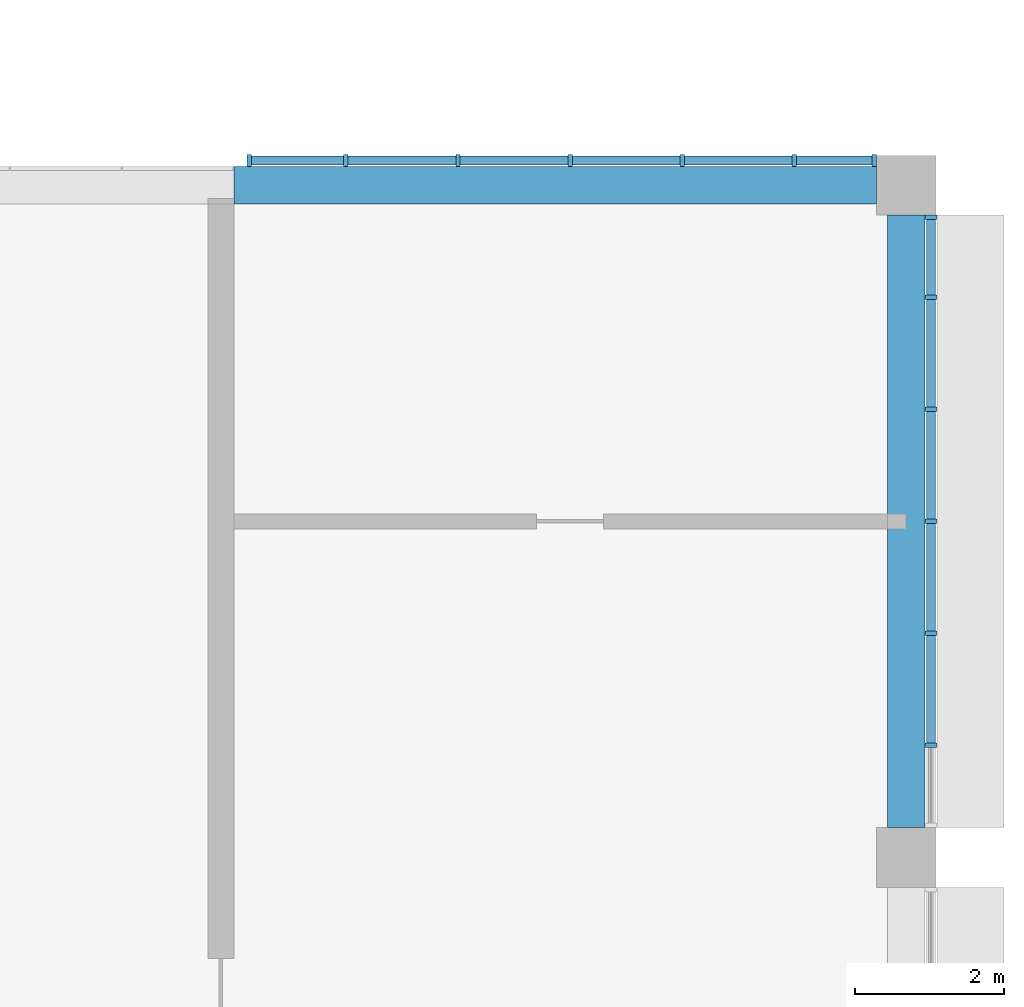
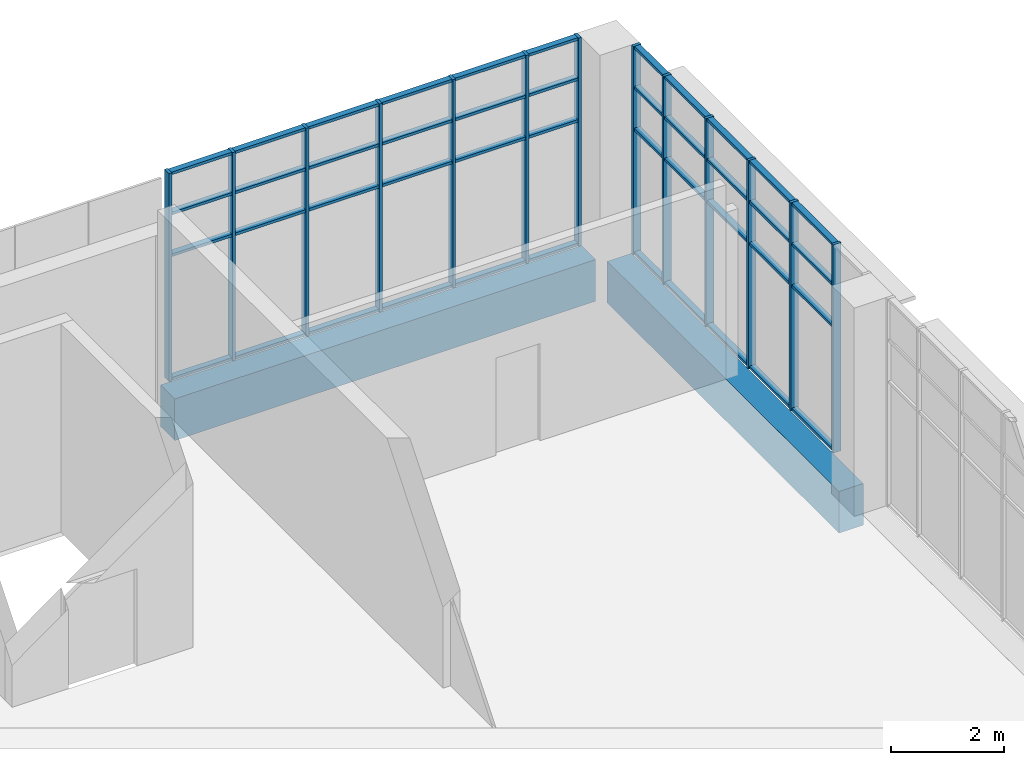
# One storey, part 6 of 19: 57 members, 2 beams, 2 elements without a shape of their own.
"""IFC4 building model written with IfcOpenShell, lengths in metres."""

from ifc_helpers import new_model, si_unit, direction, frame, origin, origin_2d, place, context, subcontext, project, spatial, rectangle, extrude, material, layer, layer_set, material_profile, profile_set, type_object, element, aggregate, save


model = new_model("IFC4")

# Units and contexts
model_context = context("Model", 3, precision=1e-05, world=origin(), true_north=direction((0.0, 1.0)))
body_context = subcontext(model_context, "Body", "Model", "MODEL_VIEW")
ifc_project = project(units=[si_unit("LENGTHUNIT", "METRE"), si_unit("AREAUNIT", "SQUARE_METRE"), si_unit("VOLUMEUNIT", "CUBIC_METRE"), si_unit("PLANEANGLEUNIT", "RADIAN"), si_unit("MASSUNIT", "GRAM", prefix="KILO")], contexts=[model_context])

# Site, building, storey
site_placement = place(None, origin())
site = spatial("IfcSite", under=ifc_project, at=site_placement, CompositionType="ELEMENT")
building_placement = place(site_placement, origin())
building = spatial("IfcBuilding", under=site, at=building_placement, Name="Guidao Yard Department Store", CompositionType="ELEMENT")
storey_placement = place(building_placement, frame((0.0, 0.0, 33.0)))
storey = spatial("IfcBuildingStorey", under=building, at=storey_placement, Name="L07", CompositionType="ELEMENT", Elevation=33.0)

# Curtain wall, members
ifc_material_1 = material(Name="Aluminium and glass", Category="aluminium")
ifc_layer = layer(ifc_material_1, 0.159912109375)
ifc_layer_set = layer_set([ifc_layer], Name="Unitised curtain wall CW4 1500 module")
curtain_wall_type = type_object("IfcCurtainWallType", Name="Unitised curtain wall CW4 1500 module", PredefinedType="NOTDEFINED", material=ifc_layer_set)
curtain_wall_1_placement = place(storey_placement, origin())
curtain_wall_1 = element("IfcCurtainWall", 1, at=curtain_wall_1_placement, inside=storey, type_object=curtain_wall_type, Name="Unitised curtain wall", PredefinedType="NOTDEFINED")
ifc_material_2 = material(Name="Aluminium 6063-T5", Category="aluminium")
ifc_material_profile_1 = material_profile(ifc_material_2, rectangle(XDim=0.06005859375, YDim=0.159912109375, at=origin_2d()), Name="Mullion M1 60 x 160 aluminium pressure plate")
ifc_profile_set_1 = profile_set([ifc_material_profile_1], Name="Aluminium 6063-T5")
member_type_1 = type_object("IfcMemberType", Name="Mullion M1 60 x 160 aluminium pressure plate", PredefinedType="MULLION", material=ifc_profile_set_1)
member_1_placement = place(storey_placement, frame((162.205078125, 27.330078125, 0.0), z_axis=(0.0, 0.0, 1.0), x_axis=(1.0, 0.0, 0.0)))
member_1 = element("IfcMember", 2, at=member_1_placement, type_object=member_type_1, Name="CW-OW-L07-08 mullion 1", PredefinedType="MULLION", context=body_context, shape_type="SweptSolid", body=[
    extrude(rectangle(XDim=0.06005859375, YDim=0.159912109375, at=origin_2d()), origin(), (0.0, 0.0, 1.0), 4.5),
])
member_2_placement = place(storey_placement, frame((163.5, 27.330078125, 0.0), z_axis=(0.0, 0.0, 1.0), x_axis=(1.0, 0.0, 0.0)))
member_2 = element("IfcMember", 3, at=member_2_placement, type_object=member_type_1, Name="CW-OW-L07-08 mullion 2", PredefinedType="MULLION", context=body_context, shape_type="SweptSolid", body=[
    extrude(rectangle(XDim=0.06005859375, YDim=0.159912109375, at=origin_2d()), origin(), (0.0, 0.0, 1.0), 4.5),
])
member_3_placement = place(storey_placement, frame((165.0, 27.330078125, 0.0), z_axis=(0.0, 0.0, 1.0), x_axis=(1.0, 0.0, 0.0)))
member_3 = element("IfcMember", 4, at=member_3_placement, type_object=member_type_1, Name="CW-OW-L07-08 mullion 3", PredefinedType="MULLION", context=body_context, shape_type="SweptSolid", body=[
    extrude(rectangle(XDim=0.06005859375, YDim=0.159912109375, at=origin_2d()), origin(), (0.0, 0.0, 1.0), 4.5),
])
member_4_placement = place(storey_placement, frame((166.5, 27.330078125, 0.0), z_axis=(0.0, 0.0, 1.0), x_axis=(1.0, 0.0, 0.0)))
member_4 = element("IfcMember", 5, at=member_4_placement, type_object=member_type_1, Name="CW-OW-L07-08 mullion 4", PredefinedType="MULLION", context=body_context, shape_type="SweptSolid", body=[
    extrude(rectangle(XDim=0.06005859375, YDim=0.159912109375, at=origin_2d()), origin(), (0.0, 0.0, 1.0), 4.5),
])
member_5_placement = place(storey_placement, frame((168.0, 27.330078125, 0.0), z_axis=(0.0, 0.0, 1.0), x_axis=(1.0, 0.0, 0.0)))
member_5 = element("IfcMember", 6, at=member_5_placement, type_object=member_type_1, Name="CW-OW-L07-08 mullion 5", PredefinedType="MULLION", context=body_context, shape_type="SweptSolid", body=[
    extrude(rectangle(XDim=0.06005859375, YDim=0.159912109375, at=origin_2d()), origin(), (0.0, 0.0, 1.0), 4.5),
])
member_6_placement = place(storey_placement, frame((169.5, 27.330078125, 0.0), z_axis=(0.0, 0.0, 1.0), x_axis=(1.0, 0.0, 0.0)))
member_6 = element("IfcMember", 7, at=member_6_placement, type_object=member_type_1, Name="CW-OW-L07-08 mullion 6", PredefinedType="MULLION", context=body_context, shape_type="SweptSolid", body=[
    extrude(rectangle(XDim=0.06005859375, YDim=0.159912109375, at=origin_2d()), origin(), (0.0, 0.0, 1.0), 4.5),
])
member_7_placement = place(storey_placement, frame((170.570068359375, 27.330078125, 0.0), z_axis=(0.0, 0.0, 1.0), x_axis=(1.0, 0.0, 0.0)))
member_7 = element("IfcMember", 8, at=member_7_placement, type_object=member_type_1, Name="CW-OW-L07-08 mullion 7", PredefinedType="MULLION", context=body_context, shape_type="SweptSolid", body=[
    extrude(rectangle(XDim=0.06005859375, YDim=0.159912109375, at=origin_2d()), origin(), (0.0, 0.0, 1.0), 4.5),
])

curtain_wall_2_placement = place(storey_placement, origin())
curtain_wall_2 = element("IfcCurtainWall", 9, at=curtain_wall_2_placement, inside=storey, type_object=curtain_wall_type, Name="Unitised curtain wall", PredefinedType="NOTDEFINED")
member_8_placement = place(storey_placement, frame((171.330078125, 19.5, 0.0), z_axis=(0.0, 0.0, 1.0), x_axis=(0.0, -1.0, 0.0)))
member_8 = element("IfcMember", 10, at=member_8_placement, type_object=member_type_1, Name="CW-OW-L07-11 mullion 2", PredefinedType="MULLION", context=body_context, shape_type="SweptSolid", body=[
    extrude(rectangle(XDim=0.06005859375, YDim=0.159912109375, at=origin_2d()), origin(), (0.0, 0.0, 1.0), 4.5),
])
member_9_placement = place(storey_placement, frame((171.330078125, 21.0, 0.0), z_axis=(0.0, 0.0, 1.0), x_axis=(0.0, -1.0, 0.0)))
member_9 = element("IfcMember", 11, at=member_9_placement, type_object=member_type_1, Name="CW-OW-L07-11 mullion 3", PredefinedType="MULLION", context=body_context, shape_type="SweptSolid", body=[
    extrude(rectangle(XDim=0.06005859375, YDim=0.159912109375, at=origin_2d()), origin(), (0.0, 0.0, 1.0), 4.5),
])
member_10_placement = place(storey_placement, frame((171.330078125, 22.5, 0.0), z_axis=(0.0, 0.0, 1.0), x_axis=(0.0, -1.0, 0.0)))
member_10 = element("IfcMember", 12, at=member_10_placement, type_object=member_type_1, Name="CW-OW-L07-11 mullion 4", PredefinedType="MULLION", context=body_context, shape_type="SweptSolid", body=[
    extrude(rectangle(XDim=0.06005859375, YDim=0.159912109375, at=origin_2d()), origin(), (0.0, 0.0, 1.0), 4.5),
])
member_11_placement = place(storey_placement, frame((171.330078125, 24.0, 0.0), z_axis=(0.0, 0.0, 1.0), x_axis=(0.0, -1.0, 0.0)))
member_11 = element("IfcMember", 13, at=member_11_placement, type_object=member_type_1, Name="CW-OW-L07-11 mullion 5", PredefinedType="MULLION", context=body_context, shape_type="SweptSolid", body=[
    extrude(rectangle(XDim=0.06005859375, YDim=0.159912109375, at=origin_2d()), origin(), (0.0, 0.0, 1.0), 4.5),
])
member_12_placement = place(storey_placement, frame((171.330078125, 25.5, 0.0), z_axis=(0.0, 0.0, 1.0), x_axis=(0.0, -1.0, 0.0)))
member_12 = element("IfcMember", 14, at=member_12_placement, type_object=member_type_1, Name="CW-OW-L07-11 mullion 6", PredefinedType="MULLION", context=body_context, shape_type="SweptSolid", body=[
    extrude(rectangle(XDim=0.06005859375, YDim=0.159912109375, at=origin_2d()), origin(), (0.0, 0.0, 1.0), 4.5),
])
member_13_placement = place(storey_placement, frame((171.330078125, 26.570068359375, 0.0), z_axis=(0.0, 0.0, 1.0), x_axis=(0.0, -1.0, 0.0)))
member_13 = element("IfcMember", 15, at=member_13_placement, type_object=member_type_1, Name="CW-OW-L07-11 mullion 7", PredefinedType="MULLION", context=body_context, shape_type="SweptSolid", body=[
    extrude(rectangle(XDim=0.06005859375, YDim=0.159912109375, at=origin_2d()), origin(), (0.0, 0.0, 1.0), 4.5),
])

# Beams
ifc_material_3 = material(Name="Concrete C40", Category="concrete")
ifc_material_profile_2 = material_profile(ifc_material_3, rectangle(XDim=0.5, YDim=0.89990234375, at=origin_2d()), Name="Spandrel beam 500 x 900 C40")
ifc_profile_set_2 = profile_set([ifc_material_profile_2], Name="Concrete C40")
beam_type = type_object("IfcBeamType", Name="Spandrel beam 500 x 900 C40", PredefinedType="SPANDREL", material=ifc_profile_set_2)
beam_1_placement = place(storey_placement, frame((162.0, 27.0, -0.449951171875), z_axis=(1.0, 0.0, 0.0), x_axis=(0.0, 1.0, 0.0)))
element("IfcBeam", 16, at=beam_1_placement, inside=storey, type_object=beam_type, Name="Beam FB08", PredefinedType="SPANDREL", context=body_context, shape_type="SweptSolid", body=[
    extrude(rectangle(XDim=0.5, YDim=0.89990234375, at=origin_2d()), origin(), (0.0, 0.0, 1.0), 8.60009765625),
])
beam_2_placement = place(storey_placement, frame((171.0, 18.39990234375, -0.449951171875), z_axis=(0.0, 1.0, 0.0), x_axis=(-1.0, 0.0, 0.0)))
element("IfcBeam", 17, at=beam_2_placement, inside=storey, type_object=beam_type, Name="Beam FB10", PredefinedType="SPANDREL", context=body_context, shape_type="SweptSolid", body=[
    extrude(rectangle(XDim=0.5, YDim=0.89990234375, at=origin_2d()), origin(), (0.0, 0.0, 1.0), 8.2001953125),
])

# Member
ifc_material_4 = material(Name="Aluminium 6063-T5", Category="aluminium")
ifc_material_profile_3 = material_profile(ifc_material_4, rectangle(XDim=0.1201171875, YDim=0.06005859375, at=origin_2d()), Name="Transom T1 60 x 120 aluminium pressure plate")
ifc_profile_set_3 = profile_set([ifc_material_profile_3], Name="Aluminium 6063-T5")
member_type_2 = type_object("IfcMemberType", Name="Transom T1 60 x 120 aluminium pressure plate", PredefinedType="USERDEFINED", material=ifc_profile_set_3)
member_14_placement = place(storey_placement, frame((162.235107421875, 27.330078125, 0.030029296875), z_axis=(1.0, 0.0, 0.0), x_axis=(0.0, 1.0, 0.0)))
member_14 = element("IfcMember", 18, at=member_14_placement, type_object=member_type_2, Name="CW-OW-L07-08 transom 1.1", ObjectType="TRANSOM", PredefinedType="USERDEFINED", context=body_context, shape_type="SweptSolid", body=[
    extrude(rectangle(XDim=0.1201171875, YDim=0.06005859375, at=origin_2d()), origin(), (0.0, 0.0, 1.0), 1.23486328125),
])

member_15_placement = place(storey_placement, frame((162.235107421875, 27.330078125, 2.699951171875), z_axis=(1.0, 0.0, 0.0), x_axis=(0.0, 1.0, 0.0)))
member_15 = element("IfcMember", 19, at=member_15_placement, type_object=member_type_2, Name="CW-OW-L07-08 transom 1.2", ObjectType="TRANSOM", PredefinedType="USERDEFINED", context=body_context, shape_type="SweptSolid", body=[
    extrude(rectangle(XDim=0.1201171875, YDim=0.06005859375, at=origin_2d()), origin(), (0.0, 0.0, 1.0), 1.23486328125),
])

member_16_placement = place(storey_placement, frame((162.235107421875, 27.330078125, 3.60009765625), z_axis=(1.0, 0.0, 0.0), x_axis=(0.0, 1.0, 0.0)))
member_16 = element("IfcMember", 20, at=member_16_placement, type_object=member_type_2, Name="CW-OW-L07-08 transom 1.3", ObjectType="TRANSOM", PredefinedType="USERDEFINED", context=body_context, shape_type="SweptSolid", body=[
    extrude(rectangle(XDim=0.1201171875, YDim=0.06005859375, at=origin_2d()), origin(), (0.0, 0.0, 1.0), 1.23486328125),
])

member_17_placement = place(storey_placement, frame((162.235107421875, 27.330078125, 4.469970703125), z_axis=(1.0, 0.0, 0.0), x_axis=(0.0, 1.0, 0.0)))
member_17 = element("IfcMember", 21, at=member_17_placement, type_object=member_type_2, Name="CW-OW-L07-08 transom 1.4", ObjectType="TRANSOM", PredefinedType="USERDEFINED", context=body_context, shape_type="SweptSolid", body=[
    extrude(rectangle(XDim=0.1201171875, YDim=0.06005859375, at=origin_2d()), origin(), (0.0, 0.0, 1.0), 1.23486328125),
])

member_18_placement = place(storey_placement, frame((163.530029296875, 27.330078125, 0.030029296875), z_axis=(1.0, 0.0, 0.0), x_axis=(0.0, 1.0, 0.0)))
member_18 = element("IfcMember", 22, at=member_18_placement, type_object=member_type_2, Name="CW-OW-L07-08 transom 2.1", ObjectType="TRANSOM", PredefinedType="USERDEFINED", context=body_context, shape_type="SweptSolid", body=[
    extrude(rectangle(XDim=0.1201171875, YDim=0.06005859375, at=origin_2d()), origin(), (0.0, 0.0, 1.0), 1.43994140625),
])

member_19_placement = place(storey_placement, frame((163.530029296875, 27.330078125, 2.699951171875), z_axis=(1.0, 0.0, 0.0), x_axis=(0.0, 1.0, 0.0)))
member_19 = element("IfcMember", 23, at=member_19_placement, type_object=member_type_2, Name="CW-OW-L07-08 transom 2.2", ObjectType="TRANSOM", PredefinedType="USERDEFINED", context=body_context, shape_type="SweptSolid", body=[
    extrude(rectangle(XDim=0.1201171875, YDim=0.06005859375, at=origin_2d()), origin(), (0.0, 0.0, 1.0), 1.43994140625),
])

member_20_placement = place(storey_placement, frame((163.530029296875, 27.330078125, 3.60009765625), z_axis=(1.0, 0.0, 0.0), x_axis=(0.0, 1.0, 0.0)))
member_20 = element("IfcMember", 24, at=member_20_placement, type_object=member_type_2, Name="CW-OW-L07-08 transom 2.3", ObjectType="TRANSOM", PredefinedType="USERDEFINED", context=body_context, shape_type="SweptSolid", body=[
    extrude(rectangle(XDim=0.1201171875, YDim=0.06005859375, at=origin_2d()), origin(), (0.0, 0.0, 1.0), 1.43994140625),
])

member_21_placement = place(storey_placement, frame((163.530029296875, 27.330078125, 4.469970703125), z_axis=(1.0, 0.0, 0.0), x_axis=(0.0, 1.0, 0.0)))
member_21 = element("IfcMember", 25, at=member_21_placement, type_object=member_type_2, Name="CW-OW-L07-08 transom 2.4", ObjectType="TRANSOM", PredefinedType="USERDEFINED", context=body_context, shape_type="SweptSolid", body=[
    extrude(rectangle(XDim=0.1201171875, YDim=0.06005859375, at=origin_2d()), origin(), (0.0, 0.0, 1.0), 1.43994140625),
])

member_22_placement = place(storey_placement, frame((165.030029296875, 27.330078125, 0.030029296875), z_axis=(1.0, 0.0, 0.0), x_axis=(0.0, 1.0, 0.0)))
member_22 = element("IfcMember", 26, at=member_22_placement, type_object=member_type_2, Name="CW-OW-L07-08 transom 3.1", ObjectType="TRANSOM", PredefinedType="USERDEFINED", context=body_context, shape_type="SweptSolid", body=[
    extrude(rectangle(XDim=0.1201171875, YDim=0.06005859375, at=origin_2d()), origin(), (0.0, 0.0, 1.0), 1.43994140625),
])

member_23_placement = place(storey_placement, frame((165.030029296875, 27.330078125, 2.699951171875), z_axis=(1.0, 0.0, 0.0), x_axis=(0.0, 1.0, 0.0)))
member_23 = element("IfcMember", 27, at=member_23_placement, type_object=member_type_2, Name="CW-OW-L07-08 transom 3.2", ObjectType="TRANSOM", PredefinedType="USERDEFINED", context=body_context, shape_type="SweptSolid", body=[
    extrude(rectangle(XDim=0.1201171875, YDim=0.06005859375, at=origin_2d()), origin(), (0.0, 0.0, 1.0), 1.43994140625),
])

member_24_placement = place(storey_placement, frame((165.030029296875, 27.330078125, 3.60009765625), z_axis=(1.0, 0.0, 0.0), x_axis=(0.0, 1.0, 0.0)))
member_24 = element("IfcMember", 28, at=member_24_placement, type_object=member_type_2, Name="CW-OW-L07-08 transom 3.3", ObjectType="TRANSOM", PredefinedType="USERDEFINED", context=body_context, shape_type="SweptSolid", body=[
    extrude(rectangle(XDim=0.1201171875, YDim=0.06005859375, at=origin_2d()), origin(), (0.0, 0.0, 1.0), 1.43994140625),
])

member_25_placement = place(storey_placement, frame((165.030029296875, 27.330078125, 4.469970703125), z_axis=(1.0, 0.0, 0.0), x_axis=(0.0, 1.0, 0.0)))
member_25 = element("IfcMember", 29, at=member_25_placement, type_object=member_type_2, Name="CW-OW-L07-08 transom 3.4", ObjectType="TRANSOM", PredefinedType="USERDEFINED", context=body_context, shape_type="SweptSolid", body=[
    extrude(rectangle(XDim=0.1201171875, YDim=0.06005859375, at=origin_2d()), origin(), (0.0, 0.0, 1.0), 1.43994140625),
])

member_26_placement = place(storey_placement, frame((166.530029296875, 27.330078125, 0.030029296875), z_axis=(1.0, 0.0, 0.0), x_axis=(0.0, 1.0, 0.0)))
member_26 = element("IfcMember", 30, at=member_26_placement, type_object=member_type_2, Name="CW-OW-L07-08 transom 4.1", ObjectType="TRANSOM", PredefinedType="USERDEFINED", context=body_context, shape_type="SweptSolid", body=[
    extrude(rectangle(XDim=0.1201171875, YDim=0.06005859375, at=origin_2d()), origin(), (0.0, 0.0, 1.0), 1.43994140625),
])

member_27_placement = place(storey_placement, frame((166.530029296875, 27.330078125, 2.699951171875), z_axis=(1.0, 0.0, 0.0), x_axis=(0.0, 1.0, 0.0)))
member_27 = element("IfcMember", 31, at=member_27_placement, type_object=member_type_2, Name="CW-OW-L07-08 transom 4.2", ObjectType="TRANSOM", PredefinedType="USERDEFINED", context=body_context, shape_type="SweptSolid", body=[
    extrude(rectangle(XDim=0.1201171875, YDim=0.06005859375, at=origin_2d()), origin(), (0.0, 0.0, 1.0), 1.43994140625),
])

member_28_placement = place(storey_placement, frame((166.530029296875, 27.330078125, 3.60009765625), z_axis=(1.0, 0.0, 0.0), x_axis=(0.0, 1.0, 0.0)))
member_28 = element("IfcMember", 32, at=member_28_placement, type_object=member_type_2, Name="CW-OW-L07-08 transom 4.3", ObjectType="TRANSOM", PredefinedType="USERDEFINED", context=body_context, shape_type="SweptSolid", body=[
    extrude(rectangle(XDim=0.1201171875, YDim=0.06005859375, at=origin_2d()), origin(), (0.0, 0.0, 1.0), 1.43994140625),
])

member_29_placement = place(storey_placement, frame((166.530029296875, 27.330078125, 4.469970703125), z_axis=(1.0, 0.0, 0.0), x_axis=(0.0, 1.0, 0.0)))
member_29 = element("IfcMember", 33, at=member_29_placement, type_object=member_type_2, Name="CW-OW-L07-08 transom 4.4", ObjectType="TRANSOM", PredefinedType="USERDEFINED", context=body_context, shape_type="SweptSolid", body=[
    extrude(rectangle(XDim=0.1201171875, YDim=0.06005859375, at=origin_2d()), origin(), (0.0, 0.0, 1.0), 1.43994140625),
])

member_30_placement = place(storey_placement, frame((168.030029296875, 27.330078125, 0.030029296875), z_axis=(1.0, 0.0, 0.0), x_axis=(0.0, 1.0, 0.0)))
member_30 = element("IfcMember", 34, at=member_30_placement, type_object=member_type_2, Name="CW-OW-L07-08 transom 5.1", ObjectType="TRANSOM", PredefinedType="USERDEFINED", context=body_context, shape_type="SweptSolid", body=[
    extrude(rectangle(XDim=0.1201171875, YDim=0.06005859375, at=origin_2d()), origin(), (0.0, 0.0, 1.0), 1.43994140625),
])

member_31_placement = place(storey_placement, frame((168.030029296875, 27.330078125, 2.699951171875), z_axis=(1.0, 0.0, 0.0), x_axis=(0.0, 1.0, 0.0)))
member_31 = element("IfcMember", 35, at=member_31_placement, type_object=member_type_2, Name="CW-OW-L07-08 transom 5.2", ObjectType="TRANSOM", PredefinedType="USERDEFINED", context=body_context, shape_type="SweptSolid", body=[
    extrude(rectangle(XDim=0.1201171875, YDim=0.06005859375, at=origin_2d()), origin(), (0.0, 0.0, 1.0), 1.43994140625),
])

member_32_placement = place(storey_placement, frame((168.030029296875, 27.330078125, 3.60009765625), z_axis=(1.0, 0.0, 0.0), x_axis=(0.0, 1.0, 0.0)))
member_32 = element("IfcMember", 36, at=member_32_placement, type_object=member_type_2, Name="CW-OW-L07-08 transom 5.3", ObjectType="TRANSOM", PredefinedType="USERDEFINED", context=body_context, shape_type="SweptSolid", body=[
    extrude(rectangle(XDim=0.1201171875, YDim=0.06005859375, at=origin_2d()), origin(), (0.0, 0.0, 1.0), 1.43994140625),
])

member_33_placement = place(storey_placement, frame((168.030029296875, 27.330078125, 4.469970703125), z_axis=(1.0, 0.0, 0.0), x_axis=(0.0, 1.0, 0.0)))
member_33 = element("IfcMember", 37, at=member_33_placement, type_object=member_type_2, Name="CW-OW-L07-08 transom 5.4", ObjectType="TRANSOM", PredefinedType="USERDEFINED", context=body_context, shape_type="SweptSolid", body=[
    extrude(rectangle(XDim=0.1201171875, YDim=0.06005859375, at=origin_2d()), origin(), (0.0, 0.0, 1.0), 1.43994140625),
])

member_34_placement = place(storey_placement, frame((169.530029296875, 27.330078125, 0.030029296875), z_axis=(1.0, 0.0, 0.0), x_axis=(0.0, 1.0, 0.0)))
member_34 = element("IfcMember", 38, at=member_34_placement, type_object=member_type_2, Name="CW-OW-L07-08 transom 6.1", ObjectType="TRANSOM", PredefinedType="USERDEFINED", context=body_context, shape_type="SweptSolid", body=[
    extrude(rectangle(XDim=0.1201171875, YDim=0.06005859375, at=origin_2d()), origin(), (0.0, 0.0, 1.0), 1.010009765625),
])

member_35_placement = place(storey_placement, frame((169.530029296875, 27.330078125, 2.699951171875), z_axis=(1.0, 0.0, 0.0), x_axis=(0.0, 1.0, 0.0)))
member_35 = element("IfcMember", 39, at=member_35_placement, type_object=member_type_2, Name="CW-OW-L07-08 transom 6.2", ObjectType="TRANSOM", PredefinedType="USERDEFINED", context=body_context, shape_type="SweptSolid", body=[
    extrude(rectangle(XDim=0.1201171875, YDim=0.06005859375, at=origin_2d()), origin(), (0.0, 0.0, 1.0), 1.010009765625),
])

member_36_placement = place(storey_placement, frame((169.530029296875, 27.330078125, 3.60009765625), z_axis=(1.0, 0.0, 0.0), x_axis=(0.0, 1.0, 0.0)))
member_36 = element("IfcMember", 40, at=member_36_placement, type_object=member_type_2, Name="CW-OW-L07-08 transom 6.3", ObjectType="TRANSOM", PredefinedType="USERDEFINED", context=body_context, shape_type="SweptSolid", body=[
    extrude(rectangle(XDim=0.1201171875, YDim=0.06005859375, at=origin_2d()), origin(), (0.0, 0.0, 1.0), 1.010009765625),
])

member_37_placement = place(storey_placement, frame((169.530029296875, 27.330078125, 4.469970703125), z_axis=(1.0, 0.0, 0.0), x_axis=(0.0, 1.0, 0.0)))
member_37 = element("IfcMember", 41, at=member_37_placement, type_object=member_type_2, Name="CW-OW-L07-08 transom 6.4", ObjectType="TRANSOM", PredefinedType="USERDEFINED", context=body_context, shape_type="SweptSolid", body=[
    extrude(rectangle(XDim=0.1201171875, YDim=0.06005859375, at=origin_2d()), origin(), (0.0, 0.0, 1.0), 1.010009765625),
])

aggregate(curtain_wall_1, [member_1, member_2, member_3, member_4, member_5, member_6, member_7, member_14, member_15, member_16, member_17, member_18, member_19, member_20, member_21, member_22, member_23, member_24, member_25, member_26, member_27, member_28, member_29, member_30, member_31, member_32, member_33, member_34, member_35, member_36, member_37])

member_38_placement = place(storey_placement, frame((171.330078125, 20.969970703125, 0.030029296875), z_axis=(0.0, -1.0, 0.0), x_axis=(1.0, 0.0, 0.0)))
member_38 = element("IfcMember", 42, at=member_38_placement, type_object=member_type_2, Name="CW-OW-L07-11 transom 2.1", ObjectType="TRANSOM", PredefinedType="USERDEFINED", context=body_context, shape_type="SweptSolid", body=[
    extrude(rectangle(XDim=0.1201171875, YDim=0.06005859375, at=origin_2d()), origin(), (0.0, 0.0, 1.0), 1.43994140625),
])

member_39_placement = place(storey_placement, frame((171.330078125, 20.969970703125, 2.699951171875), z_axis=(0.0, -1.0, 0.0), x_axis=(1.0, 0.0, 0.0)))
member_39 = element("IfcMember", 43, at=member_39_placement, type_object=member_type_2, Name="CW-OW-L07-11 transom 2.2", ObjectType="TRANSOM", PredefinedType="USERDEFINED", context=body_context, shape_type="SweptSolid", body=[
    extrude(rectangle(XDim=0.1201171875, YDim=0.06005859375, at=origin_2d()), origin(), (0.0, 0.0, 1.0), 1.43994140625),
])

member_40_placement = place(storey_placement, frame((171.330078125, 20.969970703125, 3.60009765625), z_axis=(0.0, -1.0, 0.0), x_axis=(1.0, 0.0, 0.0)))
member_40 = element("IfcMember", 44, at=member_40_placement, type_object=member_type_2, Name="CW-OW-L07-11 transom 2.3", ObjectType="TRANSOM", PredefinedType="USERDEFINED", context=body_context, shape_type="SweptSolid", body=[
    extrude(rectangle(XDim=0.1201171875, YDim=0.06005859375, at=origin_2d()), origin(), (0.0, 0.0, 1.0), 1.43994140625),
])

member_41_placement = place(storey_placement, frame((171.330078125, 20.969970703125, 4.469970703125), z_axis=(0.0, -1.0, 0.0), x_axis=(1.0, 0.0, 0.0)))
member_41 = element("IfcMember", 45, at=member_41_placement, type_object=member_type_2, Name="CW-OW-L07-11 transom 2.4", ObjectType="TRANSOM", PredefinedType="USERDEFINED", context=body_context, shape_type="SweptSolid", body=[
    extrude(rectangle(XDim=0.1201171875, YDim=0.06005859375, at=origin_2d()), origin(), (0.0, 0.0, 1.0), 1.43994140625),
])

member_42_placement = place(storey_placement, frame((171.330078125, 22.469970703125, 0.030029296875), z_axis=(0.0, -1.0, 0.0), x_axis=(1.0, 0.0, 0.0)))
member_42 = element("IfcMember", 46, at=member_42_placement, type_object=member_type_2, Name="CW-OW-L07-11 transom 3.1", ObjectType="TRANSOM", PredefinedType="USERDEFINED", context=body_context, shape_type="SweptSolid", body=[
    extrude(rectangle(XDim=0.1201171875, YDim=0.06005859375, at=origin_2d()), origin(), (0.0, 0.0, 1.0), 1.43994140625),
])

member_43_placement = place(storey_placement, frame((171.330078125, 22.469970703125, 2.699951171875), z_axis=(0.0, -1.0, 0.0), x_axis=(1.0, 0.0, 0.0)))
member_43 = element("IfcMember", 47, at=member_43_placement, type_object=member_type_2, Name="CW-OW-L07-11 transom 3.2", ObjectType="TRANSOM", PredefinedType="USERDEFINED", context=body_context, shape_type="SweptSolid", body=[
    extrude(rectangle(XDim=0.1201171875, YDim=0.06005859375, at=origin_2d()), origin(), (0.0, 0.0, 1.0), 1.43994140625),
])

member_44_placement = place(storey_placement, frame((171.330078125, 22.469970703125, 3.60009765625), z_axis=(0.0, -1.0, 0.0), x_axis=(1.0, 0.0, 0.0)))
member_44 = element("IfcMember", 48, at=member_44_placement, type_object=member_type_2, Name="CW-OW-L07-11 transom 3.3", ObjectType="TRANSOM", PredefinedType="USERDEFINED", context=body_context, shape_type="SweptSolid", body=[
    extrude(rectangle(XDim=0.1201171875, YDim=0.06005859375, at=origin_2d()), origin(), (0.0, 0.0, 1.0), 1.43994140625),
])

member_45_placement = place(storey_placement, frame((171.330078125, 22.469970703125, 4.469970703125), z_axis=(0.0, -1.0, 0.0), x_axis=(1.0, 0.0, 0.0)))
member_45 = element("IfcMember", 49, at=member_45_placement, type_object=member_type_2, Name="CW-OW-L07-11 transom 3.4", ObjectType="TRANSOM", PredefinedType="USERDEFINED", context=body_context, shape_type="SweptSolid", body=[
    extrude(rectangle(XDim=0.1201171875, YDim=0.06005859375, at=origin_2d()), origin(), (0.0, 0.0, 1.0), 1.43994140625),
])

member_46_placement = place(storey_placement, frame((171.330078125, 23.969970703125, 0.030029296875), z_axis=(0.0, -1.0, 0.0), x_axis=(1.0, 0.0, 0.0)))
member_46 = element("IfcMember", 50, at=member_46_placement, type_object=member_type_2, Name="CW-OW-L07-11 transom 4.1", ObjectType="TRANSOM", PredefinedType="USERDEFINED", context=body_context, shape_type="SweptSolid", body=[
    extrude(rectangle(XDim=0.1201171875, YDim=0.06005859375, at=origin_2d()), origin(), (0.0, 0.0, 1.0), 1.43994140625),
])

member_47_placement = place(storey_placement, frame((171.330078125, 23.969970703125, 2.699951171875), z_axis=(0.0, -1.0, 0.0), x_axis=(1.0, 0.0, 0.0)))
member_47 = element("IfcMember", 51, at=member_47_placement, type_object=member_type_2, Name="CW-OW-L07-11 transom 4.2", ObjectType="TRANSOM", PredefinedType="USERDEFINED", context=body_context, shape_type="SweptSolid", body=[
    extrude(rectangle(XDim=0.1201171875, YDim=0.06005859375, at=origin_2d()), origin(), (0.0, 0.0, 1.0), 1.43994140625),
])

member_48_placement = place(storey_placement, frame((171.330078125, 23.969970703125, 3.60009765625), z_axis=(0.0, -1.0, 0.0), x_axis=(1.0, 0.0, 0.0)))
member_48 = element("IfcMember", 52, at=member_48_placement, type_object=member_type_2, Name="CW-OW-L07-11 transom 4.3", ObjectType="TRANSOM", PredefinedType="USERDEFINED", context=body_context, shape_type="SweptSolid", body=[
    extrude(rectangle(XDim=0.1201171875, YDim=0.06005859375, at=origin_2d()), origin(), (0.0, 0.0, 1.0), 1.43994140625),
])

member_49_placement = place(storey_placement, frame((171.330078125, 23.969970703125, 4.469970703125), z_axis=(0.0, -1.0, 0.0), x_axis=(1.0, 0.0, 0.0)))
member_49 = element("IfcMember", 53, at=member_49_placement, type_object=member_type_2, Name="CW-OW-L07-11 transom 4.4", ObjectType="TRANSOM", PredefinedType="USERDEFINED", context=body_context, shape_type="SweptSolid", body=[
    extrude(rectangle(XDim=0.1201171875, YDim=0.06005859375, at=origin_2d()), origin(), (0.0, 0.0, 1.0), 1.43994140625),
])

member_50_placement = place(storey_placement, frame((171.330078125, 25.469970703125, 0.030029296875), z_axis=(0.0, -1.0, 0.0), x_axis=(1.0, 0.0, 0.0)))
member_50 = element("IfcMember", 54, at=member_50_placement, type_object=member_type_2, Name="CW-OW-L07-11 transom 5.1", ObjectType="TRANSOM", PredefinedType="USERDEFINED", context=body_context, shape_type="SweptSolid", body=[
    extrude(rectangle(XDim=0.1201171875, YDim=0.06005859375, at=origin_2d()), origin(), (0.0, 0.0, 1.0), 1.43994140625),
])

member_51_placement = place(storey_placement, frame((171.330078125, 25.469970703125, 2.699951171875), z_axis=(0.0, -1.0, 0.0), x_axis=(1.0, 0.0, 0.0)))
member_51 = element("IfcMember", 55, at=member_51_placement, type_object=member_type_2, Name="CW-OW-L07-11 transom 5.2", ObjectType="TRANSOM", PredefinedType="USERDEFINED", context=body_context, shape_type="SweptSolid", body=[
    extrude(rectangle(XDim=0.1201171875, YDim=0.06005859375, at=origin_2d()), origin(), (0.0, 0.0, 1.0), 1.43994140625),
])

member_52_placement = place(storey_placement, frame((171.330078125, 25.469970703125, 3.60009765625), z_axis=(0.0, -1.0, 0.0), x_axis=(1.0, 0.0, 0.0)))
member_52 = element("IfcMember", 56, at=member_52_placement, type_object=member_type_2, Name="CW-OW-L07-11 transom 5.3", ObjectType="TRANSOM", PredefinedType="USERDEFINED", context=body_context, shape_type="SweptSolid", body=[
    extrude(rectangle(XDim=0.1201171875, YDim=0.06005859375, at=origin_2d()), origin(), (0.0, 0.0, 1.0), 1.43994140625),
])

member_53_placement = place(storey_placement, frame((171.330078125, 25.469970703125, 4.469970703125), z_axis=(0.0, -1.0, 0.0), x_axis=(1.0, 0.0, 0.0)))
member_53 = element("IfcMember", 57, at=member_53_placement, type_object=member_type_2, Name="CW-OW-L07-11 transom 5.4", ObjectType="TRANSOM", PredefinedType="USERDEFINED", context=body_context, shape_type="SweptSolid", body=[
    extrude(rectangle(XDim=0.1201171875, YDim=0.06005859375, at=origin_2d()), origin(), (0.0, 0.0, 1.0), 1.43994140625),
])

member_54_placement = place(storey_placement, frame((171.330078125, 26.5400390625, 0.030029296875), z_axis=(0.0, -1.0, 0.0), x_axis=(1.0, 0.0, 0.0)))
member_54 = element("IfcMember", 58, at=member_54_placement, type_object=member_type_2, Name="CW-OW-L07-11 transom 6.1", ObjectType="TRANSOM", PredefinedType="USERDEFINED", context=body_context, shape_type="SweptSolid", body=[
    extrude(rectangle(XDim=0.1201171875, YDim=0.06005859375, at=origin_2d()), origin(), (0.0, 0.0, 1.0), 1.010009765625),
])

member_55_placement = place(storey_placement, frame((171.330078125, 26.5400390625, 2.699951171875), z_axis=(0.0, -1.0, 0.0), x_axis=(1.0, 0.0, 0.0)))
member_55 = element("IfcMember", 59, at=member_55_placement, type_object=member_type_2, Name="CW-OW-L07-11 transom 6.2", ObjectType="TRANSOM", PredefinedType="USERDEFINED", context=body_context, shape_type="SweptSolid", body=[
    extrude(rectangle(XDim=0.1201171875, YDim=0.06005859375, at=origin_2d()), origin(), (0.0, 0.0, 1.0), 1.010009765625),
])

member_56_placement = place(storey_placement, frame((171.330078125, 26.5400390625, 3.60009765625), z_axis=(0.0, -1.0, 0.0), x_axis=(1.0, 0.0, 0.0)))
member_56 = element("IfcMember", 60, at=member_56_placement, type_object=member_type_2, Name="CW-OW-L07-11 transom 6.3", ObjectType="TRANSOM", PredefinedType="USERDEFINED", context=body_context, shape_type="SweptSolid", body=[
    extrude(rectangle(XDim=0.1201171875, YDim=0.06005859375, at=origin_2d()), origin(), (0.0, 0.0, 1.0), 1.010009765625),
])

member_57_placement = place(storey_placement, frame((171.330078125, 26.5400390625, 4.469970703125), z_axis=(0.0, -1.0, 0.0), x_axis=(1.0, 0.0, 0.0)))
member_57 = element("IfcMember", 61, at=member_57_placement, type_object=member_type_2, Name="CW-OW-L07-11 transom 6.4", ObjectType="TRANSOM", PredefinedType="USERDEFINED", context=body_context, shape_type="SweptSolid", body=[
    extrude(rectangle(XDim=0.1201171875, YDim=0.06005859375, at=origin_2d()), origin(), (0.0, 0.0, 1.0), 1.010009765625),
])

aggregate(curtain_wall_2, [member_8, member_9, member_10, member_11, member_12, member_13, member_38, member_39, member_40, member_41, member_42, member_43, member_44, member_45, member_46, member_47, member_48, member_49, member_50, member_51, member_52, member_53, member_54, member_55, member_56, member_57])

save(model, "model.ifc")
